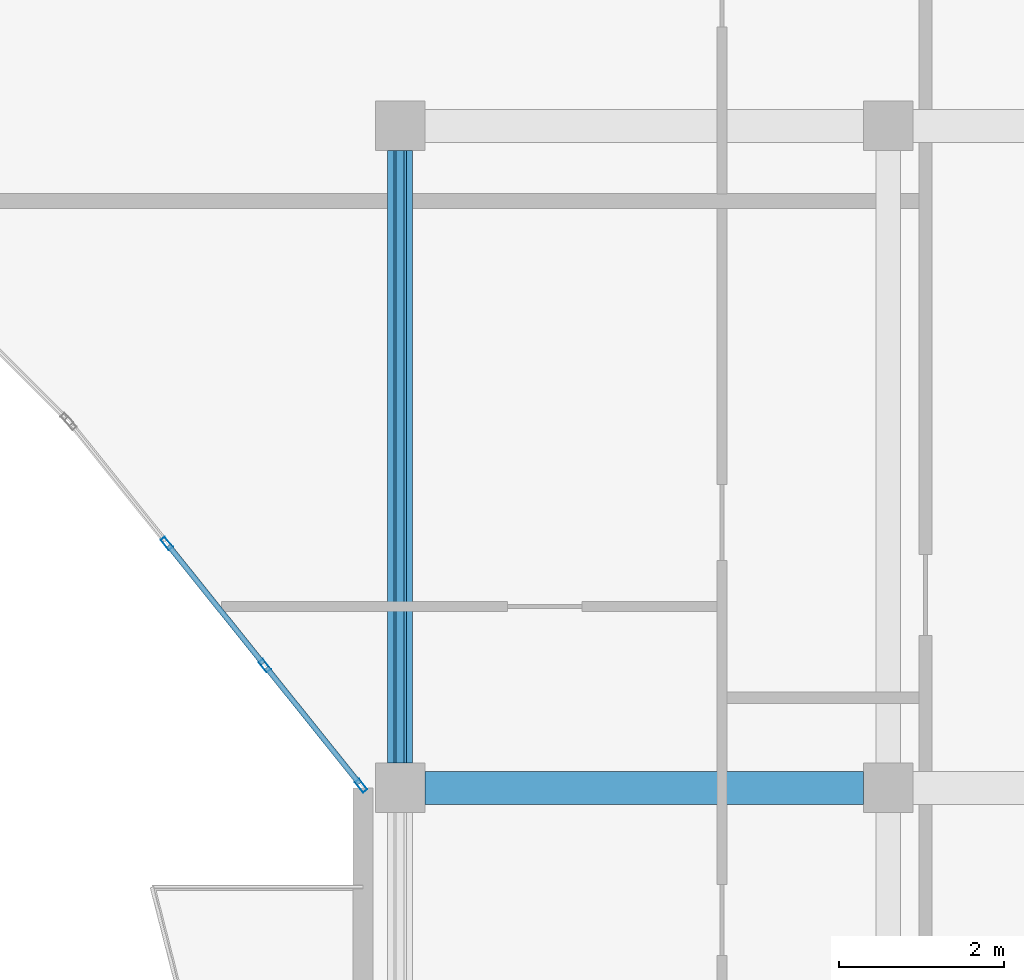
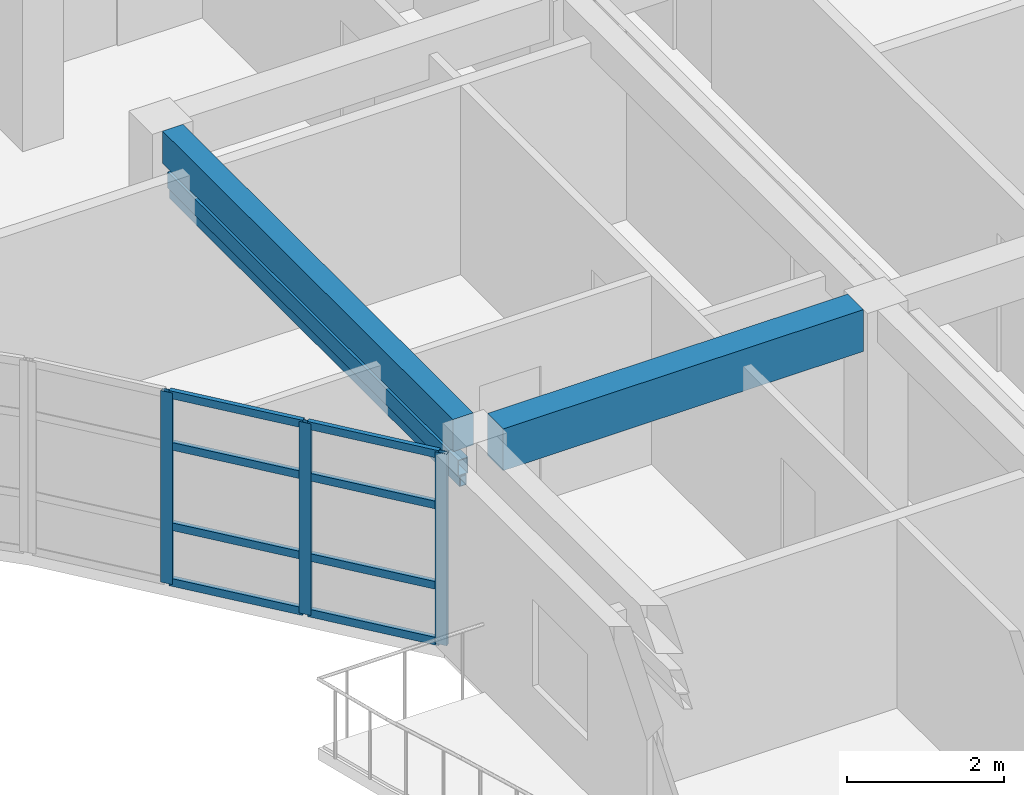
# One storey, part 20 of 71: 13 members, 2 beams, 1 element without a shape of its own.
"""IFC4 building model written with IfcOpenShell, lengths in metres."""

from ifc_helpers import new_model, si_unit, direction, frame, origin, origin_2d, place, context, subcontext, project, spatial, rectangle, hollow_rectangle, extrude, material, layer, layer_set, material_profile, profile_set, type_object, element, aggregate, save


model = new_model("IFC4")

# Units and contexts
model_context = context("Model", 3, precision=1e-05, world=origin(), true_north=direction((0.0, 1.0)))
body_context = subcontext(model_context, "Body", "Model", "MODEL_VIEW")
ifc_project = project(units=[si_unit("LENGTHUNIT", "METRE"), si_unit("AREAUNIT", "SQUARE_METRE"), si_unit("VOLUMEUNIT", "CUBIC_METRE"), si_unit("PLANEANGLEUNIT", "RADIAN"), si_unit("MASSUNIT", "GRAM", prefix="KILO")], contexts=[model_context])

# Site, building, storey
site_placement = place(None, origin())
site = spatial("IfcSite", under=ifc_project, at=site_placement, CompositionType="ELEMENT")
building_placement = place(site_placement, origin())
building = spatial("IfcBuilding", under=site, at=building_placement, Name="Keldmere Railside Commons", CompositionType="ELEMENT")
storey_placement = place(building_placement, frame((0.0, 0.0, 20.159912109375)))
storey = spatial("IfcBuildingStorey", under=building, at=storey_placement, Name="L06", CompositionType="ELEMENT", Elevation=20.159912109375)

# Member
ifc_material_1 = material(Name="Steel F-36 (S355)", Category="steel")
ifc_material_profile_1 = material_profile(ifc_material_1, hollow_rectangle(XDim=0.14990234375, YDim=0.25, WallThickness=0.010009765625, at=origin_2d()), Name="RHS-250x150x10")
ifc_profile_set_1 = profile_set([ifc_material_profile_1], Name="Steel F-36 (S355)")
member_type_1 = type_object("IfcMemberType", Name="Balcony Continuous Planted Trough RHS250x150", PredefinedType="CHORD", material=ifc_profile_set_1)
member_1_placement = place(storey_placement, frame((168.449951171875, 88.300048828125, 2.4150390625), z_axis=(0.0, 1.0, 0.0), x_axis=(-1.0, 0.0, 0.0)))
element("IfcMember", 1, at=member_1_placement, inside=storey, type_object=member_type_1, Name="PLT-1 MEM-BPLT-0769", PredefinedType="CHORD", context=body_context, shape_type="SweptSolid", body=[
    extrude(hollow_rectangle(XDim=0.14990234375, YDim=0.25, WallThickness=0.010009765625, at=origin_2d()), origin(), (0.0, 0.0, 1.0), 7.39990234375),
])

# Beams
ifc_material_2 = material(Name="Concrete H-30 (C30/37)", Category="concrete")
ifc_material_profile_2 = material_profile(ifc_material_2, rectangle(XDim=0.39990234375, YDim=0.64990234375, at=origin_2d()), Name="RC-400x650")
ifc_profile_set_2 = profile_set([ifc_material_profile_2], Name="Concrete H-30 (C30/37)")
beam_type_1 = type_object("IfcBeamType", Name="Residential Spine RC Girder 400x650", PredefinedType="BEAM", material=ifc_profile_set_2)
beam_1_placement = place(storey_placement, frame((168.75, 88.0, 2.875), z_axis=(1.0, 0.0, 0.0), x_axis=(0.0, 1.0, 0.0)))
element("IfcBeam", 2, at=beam_1_placement, inside=storey, type_object=beam_type_1, Name="BG-3 BM-L06-1887", PredefinedType="BEAM", context=body_context, shape_type="SweptSolid", body=[
    extrude(rectangle(XDim=0.39990234375, YDim=0.64990234375, at=origin_2d()), origin(), (0.0, 0.0, 1.0), 5.300048828125),
])
ifc_material_profile_3 = material_profile(ifc_material_2, rectangle(XDim=0.300048828125, YDim=0.5, at=origin_2d()), Name="RC-300x500")
ifc_profile_set_3 = profile_set([ifc_material_profile_3], Name="Concrete H-30 (C30/37)")
beam_type_2 = type_object("IfcBeamType", Name="Secondary Frame RC Beam 300x500", PredefinedType="BEAM", material=ifc_profile_set_3)
beam_2_placement = place(storey_placement, frame((168.449951171875, 88.300048828125, 2.9501953125), z_axis=(0.0, 1.0, 0.0), x_axis=(-1.0, 0.0, 0.0)))
element("IfcBeam", 3, at=beam_2_placement, inside=storey, type_object=beam_type_2, Name="BG-5 BM-L06-2005", PredefinedType="BEAM", context=body_context, shape_type="SweptSolid", body=[
    extrude(rectangle(XDim=0.300048828125, YDim=0.5, at=origin_2d()), origin(), (0.0, 0.0, 1.0), 7.39990234375),
])

# Member
ifc_material_profile_4 = material_profile(ifc_material_1, hollow_rectangle(XDim=0.10009765625, YDim=0.159912109375, WallThickness=0.008056640625, at=origin_2d()), Name="RHS-160x100x8")
ifc_profile_set_4 = profile_set([ifc_material_profile_4], Name="Steel F-36 (S355)")
member_type_2 = type_object("IfcMemberType", Name="Solar Brise-Soleil Louvre Fin RHS160x100", PredefinedType="STRUT", material=ifc_profile_set_4)
member_2_placement = place(storey_placement, frame((168.449951171875, 88.300048828125, 2.2001953125), z_axis=(0.0, 1.0, 0.0), x_axis=(-1.0, 0.0, 0.0)))
element("IfcMember", 4, at=member_2_placement, inside=storey, type_object=member_type_2, Name="BSF-1 MEM-BSF-0770", PredefinedType="STRUT", context=body_context, shape_type="SweptSolid", body=[
    extrude(hollow_rectangle(XDim=0.10009765625, YDim=0.159912109375, WallThickness=0.008056640625, at=origin_2d()), origin(), (0.0, 0.0, 1.0), 7.39990234375),
])

# Curtain wall, members
ifc_material_3 = material(Name="Thermally Broken Aluminium", Category="aluminium")
ifc_layer = layer(ifc_material_3, 0.159912109375, Name="Court Chord Wintergarden CW 5400x2850")
ifc_layer_set = layer_set([ifc_layer], Name="Thermally Broken Aluminium")
curtain_wall_type = type_object("IfcCurtainWallType", Name="Court Chord Wintergarden CW 5400x2850", PredefinedType="NOTDEFINED", material=ifc_layer_set)
curtain_wall_placement = place(storey_placement, origin())
curtain_wall = element("IfcCurtainWall", 5, at=curtain_wall_placement, inside=storey, type_object=curtain_wall_type, Name="CW-13 CW-L06-177", PredefinedType="NOTDEFINED")
ifc_material_profile_5 = material_profile(ifc_material_3, hollow_rectangle(XDim=0.06494140625, YDim=0.159912109375, WallThickness=0.00390625, at=origin_2d()), Name="ALU-MULL-65x160")
ifc_profile_set_5 = profile_set([ifc_material_profile_5], Name="Thermally Broken Aluminium")
member_type_3 = type_object("IfcMemberType", Name="Unitised Curtain Wall Mullion 65x160", PredefinedType="MULLION", material=ifc_profile_set_5)
member_3_placement = place(storey_placement, frame((167.979736328125, 88.025390625, 0.0), z_axis=(0.0, 0.0, 1.0), x_axis=(-0.780009172323, -0.625768080915, 0.0)))
member_3 = element("IfcMember", 6, at=member_3_placement, type_object=member_type_3, Name="CW-13 mullion 1", PredefinedType="MULLION", context=body_context, shape_type="SweptSolid", body=[
    extrude(hollow_rectangle(XDim=0.06494140625, YDim=0.159912109375, WallThickness=0.00390625, at=origin_2d()), origin(), (0.0, 0.0, 1.0), 2.97998046875),
])
member_4_placement = place(storey_placement, frame((166.8154296875, 89.4765625, 0.0), z_axis=(0.0, 0.0, 1.0), x_axis=(-0.780009172323, -0.625768080915, 0.0)))
member_4 = element("IfcMember", 7, at=member_4_placement, type_object=member_type_3, Name="CW-13 mullion 2", PredefinedType="MULLION", context=body_context, shape_type="SweptSolid", body=[
    extrude(hollow_rectangle(XDim=0.06494140625, YDim=0.159912109375, WallThickness=0.00390625, at=origin_2d()), origin(), (0.0, 0.0, 1.0), 2.97998046875),
])
member_5_placement = place(storey_placement, frame((165.630615234375, 90.953369140625, 0.0), z_axis=(0.0, 0.0, 1.0), x_axis=(-0.780009172323, -0.625768080915, 0.0)))
member_5 = element("IfcMember", 8, at=member_5_placement, type_object=member_type_3, Name="CW-13 mullion 3", PredefinedType="MULLION", context=body_context, shape_type="SweptSolid", body=[
    extrude(hollow_rectangle(XDim=0.06494140625, YDim=0.159912109375, WallThickness=0.00390625, at=origin_2d()), origin(), (0.0, 0.0, 1.0), 2.97998046875),
])
ifc_material_profile_6 = material_profile(ifc_material_3, hollow_rectangle(XDim=0.06494140625, YDim=0.1201171875, WallThickness=0.00390625, at=origin_2d()), Name="ALU-TRAN-65x120")
ifc_profile_set_6 = profile_set([ifc_material_profile_6], Name="Thermally Broken Aluminium")
member_type_4 = type_object("IfcMemberType", Name="Unitised Curtain Wall Transom 65x120", PredefinedType="USERDEFINED", material=ifc_profile_set_6)
member_6_placement = place(storey_placement, frame((167.959228515625, 88.05078125, 0.032470703125), z_axis=(-0.625722553313, 0.780045694992, 0.0), x_axis=(-0.780045694992, -0.625722553313, 0.0)))
member_6 = element("IfcMember", 9, at=member_6_placement, type_object=member_type_4, Name="CW-13 transom 1.1", ObjectType="TRANSOM", PredefinedType="USERDEFINED", context=body_context, shape_type="SweptSolid", body=[
    extrude(hollow_rectangle(XDim=0.06494140625, YDim=0.1201171875, WallThickness=0.00390625, at=origin_2d()), origin(), (0.0, 0.0, 1.0), 1.795654296875),
])
member_7_placement = place(storey_placement, frame((167.959228515625, 88.05078125, 0.900146484375), z_axis=(-0.625722553313, 0.780045694992, 0.0), x_axis=(-0.780045694992, -0.625722553313, 0.0)))
member_7 = element("IfcMember", 10, at=member_7_placement, type_object=member_type_4, Name="CW-13 transom 1.2", ObjectType="TRANSOM", PredefinedType="USERDEFINED", context=body_context, shape_type="SweptSolid", body=[
    extrude(hollow_rectangle(XDim=0.06494140625, YDim=0.1201171875, WallThickness=0.00390625, at=origin_2d()), origin(), (0.0, 0.0, 1.0), 1.795654296875),
])
member_8_placement = place(storey_placement, frame((167.959228515625, 88.05078125, 2.150146484375), z_axis=(-0.625722553313, 0.780045694992, 0.0), x_axis=(-0.780045694992, -0.625722553313, 0.0)))
member_8 = element("IfcMember", 11, at=member_8_placement, type_object=member_type_4, Name="CW-13 transom 1.3", ObjectType="TRANSOM", PredefinedType="USERDEFINED", context=body_context, shape_type="SweptSolid", body=[
    extrude(hollow_rectangle(XDim=0.06494140625, YDim=0.1201171875, WallThickness=0.00390625, at=origin_2d()), origin(), (0.0, 0.0, 1.0), 1.795654296875),
])
member_9_placement = place(storey_placement, frame((167.959228515625, 88.05078125, 2.947509765625), z_axis=(-0.625722553313, 0.780045694992, 0.0), x_axis=(-0.780045694992, -0.625722553313, 0.0)))
member_9 = element("IfcMember", 12, at=member_9_placement, type_object=member_type_4, Name="CW-13 transom 1.4", ObjectType="TRANSOM", PredefinedType="USERDEFINED", context=body_context, shape_type="SweptSolid", body=[
    extrude(hollow_rectangle(XDim=0.06494140625, YDim=0.1201171875, WallThickness=0.00390625, at=origin_2d()), origin(), (0.0, 0.0, 1.0), 1.795654296875),
])
member_10_placement = place(storey_placement, frame((166.794921875, 89.501953125, 0.032470703125), z_axis=(-0.625688033635, 0.78007338409, 0.0), x_axis=(-0.78007338409, -0.625688033635, 0.0)))
member_10 = element("IfcMember", 13, at=member_10_placement, type_object=member_type_4, Name="CW-13 transom 2.1", ObjectType="TRANSOM", PredefinedType="USERDEFINED", context=body_context, shape_type="SweptSolid", body=[
    extrude(hollow_rectangle(XDim=0.06494140625, YDim=0.1201171875, WallThickness=0.00390625, at=origin_2d()), origin(), (0.0, 0.0, 1.0), 1.828125),
])
member_11_placement = place(storey_placement, frame((166.794921875, 89.501953125, 0.900146484375), z_axis=(-0.625688033635, 0.78007338409, 0.0), x_axis=(-0.78007338409, -0.625688033635, 0.0)))
member_11 = element("IfcMember", 14, at=member_11_placement, type_object=member_type_4, Name="CW-13 transom 2.2", ObjectType="TRANSOM", PredefinedType="USERDEFINED", context=body_context, shape_type="SweptSolid", body=[
    extrude(hollow_rectangle(XDim=0.06494140625, YDim=0.1201171875, WallThickness=0.00390625, at=origin_2d()), origin(), (0.0, 0.0, 1.0), 1.828125),
])
member_12_placement = place(storey_placement, frame((166.794921875, 89.501953125, 2.150146484375), z_axis=(-0.625688033635, 0.78007338409, 0.0), x_axis=(-0.78007338409, -0.625688033635, 0.0)))
member_12 = element("IfcMember", 15, at=member_12_placement, type_object=member_type_4, Name="CW-13 transom 2.3", ObjectType="TRANSOM", PredefinedType="USERDEFINED", context=body_context, shape_type="SweptSolid", body=[
    extrude(hollow_rectangle(XDim=0.06494140625, YDim=0.1201171875, WallThickness=0.00390625, at=origin_2d()), origin(), (0.0, 0.0, 1.0), 1.828125),
])
member_13_placement = place(storey_placement, frame((166.794921875, 89.501953125, 2.947509765625), z_axis=(-0.625688033635, 0.78007338409, 0.0), x_axis=(-0.78007338409, -0.625688033635, 0.0)))
member_13 = element("IfcMember", 16, at=member_13_placement, type_object=member_type_4, Name="CW-13 transom 2.4", ObjectType="TRANSOM", PredefinedType="USERDEFINED", context=body_context, shape_type="SweptSolid", body=[
    extrude(hollow_rectangle(XDim=0.06494140625, YDim=0.1201171875, WallThickness=0.00390625, at=origin_2d()), origin(), (0.0, 0.0, 1.0), 1.828125),
])
aggregate(curtain_wall, [member_3, member_4, member_5, member_6, member_7, member_8, member_9, member_10, member_11, member_12, member_13])

save(model, "model.ifc")
